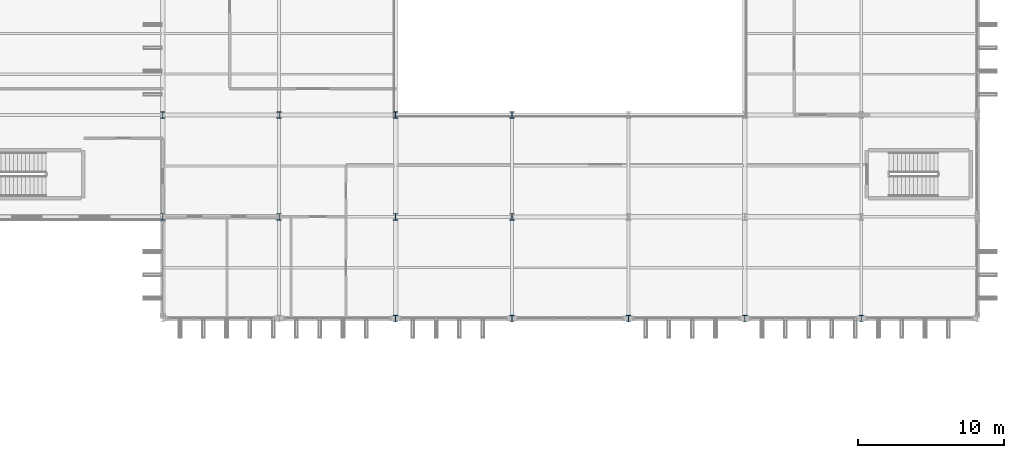
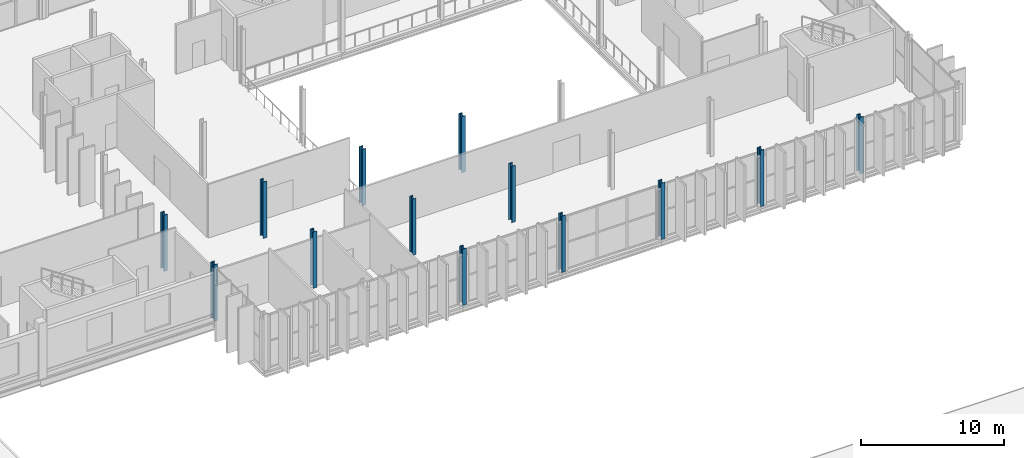
# One storey, part 3 of 120: 13 columns.
"""IFC4 building model written with IfcOpenShell, lengths in metres."""

from ifc_helpers import new_model, si_unit, direction, frame, origin, origin_2d, place, context, subcontext, project, spatial, i_section, extrude, material, material_profile, profile_set, type_object, element, save


model = new_model("IFC4")

# Units and contexts
model_context = context("Model", 3, precision=1e-05, world=origin(), true_north=direction((0.0, 1.0)))
body_context = subcontext(model_context, "Body", "Model", "MODEL_VIEW")
ifc_project = project(units=[si_unit("LENGTHUNIT", "METRE"), si_unit("AREAUNIT", "SQUARE_METRE"), si_unit("VOLUMEUNIT", "CUBIC_METRE"), si_unit("PLANEANGLEUNIT", "RADIAN"), si_unit("MASSUNIT", "GRAM", prefix="KILO")], contexts=[model_context])

# Site, building, storey
site_placement = place(None, origin())
site = spatial("IfcSite", under=ifc_project, at=site_placement, CompositionType="ELEMENT")
building_placement = place(site_placement, origin())
building = spatial("IfcBuilding", under=site, at=building_placement, Name="Vekula Escarpment Museum", CompositionType="ELEMENT")
storey_placement = place(building_placement, frame((0.0, 0.0, 13.199951171875)))
storey = spatial("IfcBuildingStorey", under=building, at=storey_placement, Name="L03", CompositionType="ELEMENT", Elevation=13.199951171875)

# Columns
ifc_material = material(Name="Steel S355", Category="steel")
ifc_material_profile = material_profile(ifc_material, i_section(OverallWidth=0.300048828125, OverallDepth=0.449951171875, WebThickness=0.013916015625, FlangeThickness=0.02587890625, FilletRadius=0.027099609375, at=origin_2d()), Name="HEB 450")
ifc_profile_set = profile_set([ifc_material_profile], Name="Steel S355")
column_type = type_object("IfcColumnType", Name="COL-S-HEB450", PredefinedType="COLUMN", material=ifc_profile_set)
for number, where, z_axis, x_axis, name in (
    (1, (70.0, 52.60009765625, 0.0), (0.0, 0.0, 1.0), (1.0, 0.0, 0.0), "Column L03 (70.0,52.6)"),
    (2, (70.0, 59.60009765625, 0.0), (0.0, 0.0, 1.0), (1.0, 0.0, 0.0), "Column L03 (70.0,59.6)"),
    (3, (78.0, 52.60009765625, 0.0), (0.0, 0.0, 1.0), (1.0, 0.0, 0.0), "Column L03 (78.0,52.6)"),
    (4, (78.0, 59.60009765625, 0.0), (0.0, 0.0, 1.0), (1.0, 0.0, 0.0), "Column L03 (78.0,59.6)"),
    (5, (86.0, 45.60009765625, 0.0), (0.0, 0.0, 1.0), (1.0, 0.0, 0.0), "Column L03 (86.0,45.6)"),
    (6, (86.0, 52.60009765625, 0.0), (0.0, 0.0, 1.0), (1.0, 0.0, 0.0), "Column L03 (86.0,52.6)"),
    (7, (86.0, 59.60009765625, 0.0), (0.0, 0.0, 1.0), (1.0, 0.0, 0.0), "Column L03 (86.0,59.6)"),
    (8, (94.0, 45.60009765625, 0.0), (0.0, 0.0, 1.0), (1.0, 0.0, 0.0), "Column L03 (94.0,45.6)"),
    (9, (94.0, 52.60009765625, 0.0), (0.0, 0.0, 1.0), (1.0, 0.0, 0.0), "Column L03 (94.0,52.6)"),
    (10, (94.0, 59.60009765625, 0.0), (0.0, 0.0, 1.0), (1.0, 0.0, 0.0), "Column L03 (94.0,59.6)"),
    (11, (102.0, 45.60009765625, 0.0), (0.0, 0.0, 1.0), (1.0, 0.0, 0.0), "Column L03 (102.0,45.6)"),
    (12, (110.0, 45.60009765625, 0.0), (0.0, 0.0, 1.0), (1.0, 0.0, 0.0), "Column L03 (110.0,45.6)"),
    (13, (118.0, 45.60009765625, 0.0), (0.0, 0.0, 1.0), (1.0, 0.0, 0.0), "Column L03 (118.0,45.6)"),
):
    element("IfcColumn", number, at=place(storey_placement, frame(where, z_axis=z_axis, x_axis=x_axis)), inside=storey, type_object=column_type, Name=name, PredefinedType="COLUMN", context=body_context, shape_type="SweptSolid", body=[
        extrude(i_section(OverallWidth=0.300048828125, OverallDepth=0.449951171875, WebThickness=0.013916015625, FlangeThickness=0.02587890625, FilletRadius=0.027099609375, at=origin_2d()), origin(), (0.0, 0.0, 1.0), 4.800048828125),
    ])

save(model, "model.ifc")
